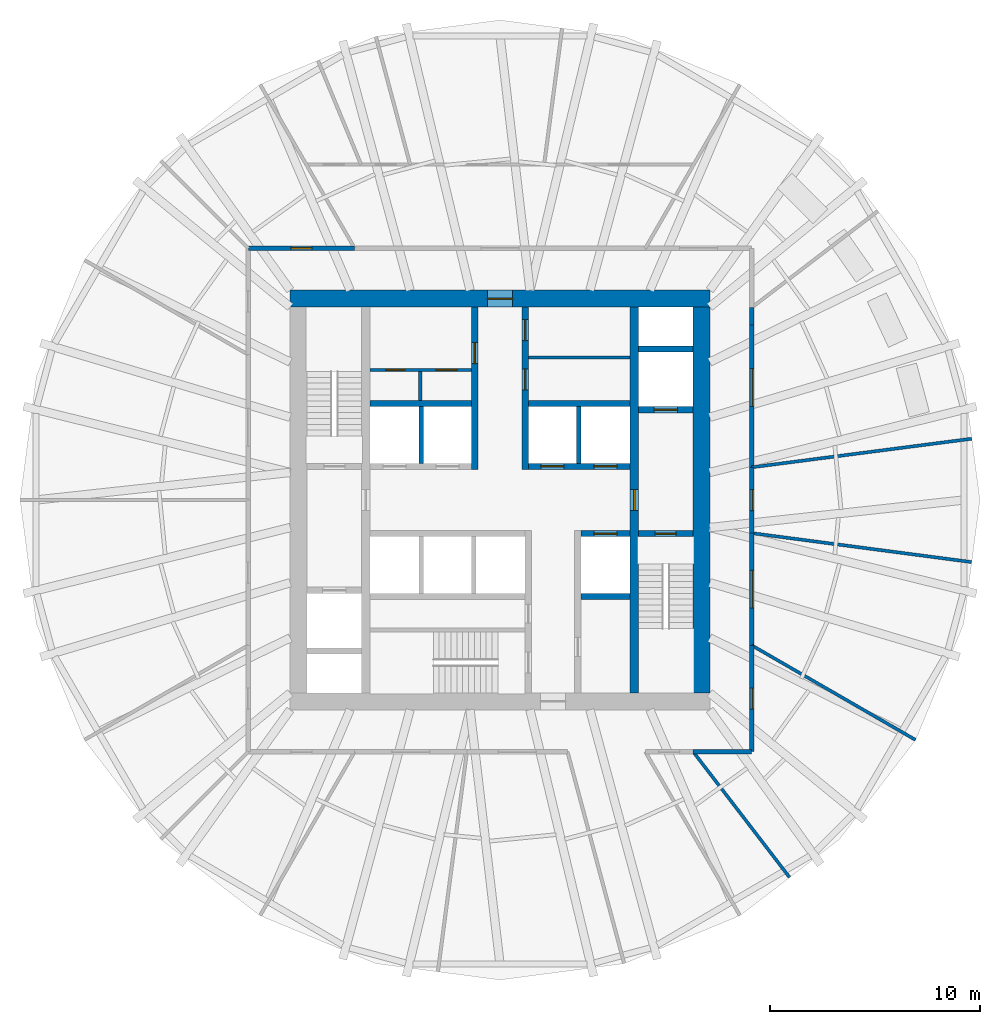
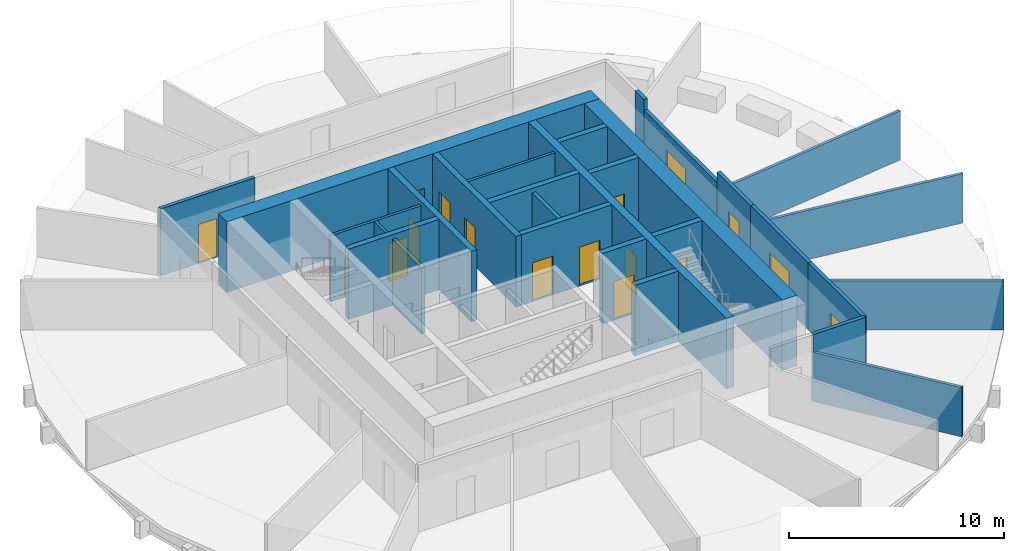
# One storey, part 4 of 7: 29 walls, 17 doors, 17 openings.
"""IFC4 building model written with IfcOpenShell, lengths in metres."""

import ifcopenshell
import ifcopenshell.guid

model = None  # the IFC model being written
_history = None  # IfcOwnerHistory: only IFC2X3 demands one
_inside = {}  # id of a spatial element -> (the spatial element, [elements in it])
_under = {}  # id of a project, library or spatial element -> (it, [spatial elements below it])
_declared = {}  # id of a project -> (the project, [libraries it declares])
_typed = {}  # id of a type object -> (the type object, [elements of that type])
_made_of = {}  # id of a material, layer set ... -> (it, [elements and type objects made of it])


def new_model(schema):
    """Start an empty IFC model of exactly this schema.

    Asked for "IFC4X3", IfcOpenShell would pick the latest addendum, in which some entities
    have other attributes; the version numbers below select the first issue.
    IFC2X3 requires an IfcOwnerHistory on every rooted entity: one is made here for all.
    """
    global model, _history
    if schema == "IFC4X3":
        model = ifcopenshell.file(schema_version=(4, 3, 0, 0))
    else:
        model = ifcopenshell.file(schema=schema)
    _inside.clear()
    _under.clear()
    _declared.clear()
    _typed.clear()
    _made_of.clear()
    _history = None
    if model.schema == "IFC2X3":
        org = make("IfcOrganization", Name="unknown")
        user = make(
            "IfcPersonAndOrganization",
            ThePerson=make("IfcPerson", FamilyName="unknown"),
            TheOrganization=org,
        )
        app = make(
            "IfcApplication",
            ApplicationDeveloper=org,
            Version="unknown",
            ApplicationFullName="unknown",
            ApplicationIdentifier="unknown",
        )
        _history = make(
            "IfcOwnerHistory",
            OwningUser=user,
            OwningApplication=app,
            ChangeAction="ADDED",
            CreationDate=0,
        )
    return model


def make(cls, **values):
    """One entity of the class cls with the attributes given. An attribute that is None is left unset."""
    return model.create_entity(
        cls, **{name: value for name, value in values.items() if value is not None}
    )


def rooted(cls, **values):
    """An entity with a GlobalId (a new one), such as an element, a storey or a relation."""
    return make(cls, GlobalId=ifcopenshell.guid.new(), OwnerHistory=_history, **values)


def si_unit(unit_type, name, prefix=None):
    """IfcSIUnit, for example si_unit("LENGTHUNIT", "METRE", prefix="MILLI")."""
    return make("IfcSIUnit", UnitType=unit_type, Prefix=prefix, Name=name)


def assignment(units):
    """IfcUnitAssignment: the units of a project."""
    return None if units is None else make("IfcUnitAssignment", Units=units)


def point(xyz):
    """IfcCartesianPoint."""
    return None if xyz is None else make("IfcCartesianPoint", Coordinates=xyz)


def direction(xyz):
    """IfcDirection."""
    return None if xyz is None else make("IfcDirection", DirectionRatios=xyz)


def frame(location, z_axis=None, x_axis=None):
    """IfcAxis2Placement3D, a coordinate frame: its origin and axes. An axis left out is left unset."""
    return make(
        "IfcAxis2Placement3D",
        Location=point(location),
        Axis=direction(z_axis),
        RefDirection=direction(x_axis),
    )


def frame_2d(location, x_axis=None):
    """IfcAxis2Placement2D, a coordinate frame in the plane: its origin and x axis."""
    return make(
        "IfcAxis2Placement2D", Location=point(location), RefDirection=direction(x_axis)
    )


def origin():
    """The frame at (0, 0, 0) with its axes left unset."""
    return frame((0.0, 0.0, 0.0))


def place(relative_to, where):
    """IfcLocalPlacement: puts the frame where relative to a parent placement (None: the world)."""
    return make(
        "IfcLocalPlacement", PlacementRelTo=relative_to, RelativePlacement=where
    )


def context(
    kind, dimensions, precision=None, world=None, true_north=None, identifier=None
):
    """IfcGeometricRepresentationContext, for example the 3D "Model" context."""
    return make(
        "IfcGeometricRepresentationContext",
        ContextIdentifier=identifier,
        ContextType=kind,
        CoordinateSpaceDimension=dimensions,
        Precision=precision,
        WorldCoordinateSystem=world,
        TrueNorth=true_north,
    )


def subcontext(parent, identifier, kind, view, scale=None):
    """IfcGeometricRepresentationSubContext, for example "Body" below "Model"."""
    return make(
        "IfcGeometricRepresentationSubContext",
        ContextIdentifier=identifier,
        ContextType=kind,
        ParentContext=parent,
        TargetScale=scale,
        TargetView=view,
    )


def project(units=None, contexts=None):
    """IfcProject with its units and contexts."""
    return rooted(
        "IfcProject",
        Name="project",
        RepresentationContexts=contexts,
        UnitsInContext=assignment(units),
    )


def spatial(cls, under=None, at=None, **own):
    """A site, building, storey or space (cls), placed at a placement, below another one or the project."""
    s = rooted(cls, ObjectPlacement=at, **own)
    if under is not None:
        _under.setdefault(under.id(), (under, []))[1].append(s)
    return s


def profile(cls, at=None, kind="AREA", **sizes):
    """A parametric profile (cls). Its sizes go by their IFC names, for example OverallWidth=200.0."""
    return make(cls, ProfileType=kind, Position=at, **sizes)


def rectangle(**sizes):
    """IfcRectangleProfileDef."""
    return profile("IfcRectangleProfileDef", **sizes)


def extrude(swept, where, along, depth):
    """IfcExtrudedAreaSolid: the profile swept, set in the frame where, extruded along a direction by depth."""
    return make(
        "IfcExtrudedAreaSolid",
        SweptArea=swept,
        Position=where,
        ExtrudedDirection=direction(along),
        Depth=depth,
    )


def shape(context_of_items, identifier, shape_type, items):
    """IfcShapeRepresentation: the items that make up one representation, for example the "Body"."""
    return make(
        "IfcShapeRepresentation",
        ContextOfItems=context_of_items,
        RepresentationIdentifier=identifier,
        RepresentationType=shape_type,
        Items=items,
    )


def material(Name=None, Category=None):
    """IfcMaterial."""
    return make("IfcMaterial", Name=Name, Category=Category)


def layer(
    of_material, thickness, ventilated=None, Name=None, Category=None, Priority=None
):
    """IfcMaterialLayer: one layer of a wall or slab, of a material (None: an air gap)."""
    return make(
        "IfcMaterialLayer",
        Material=of_material,
        LayerThickness=thickness,
        IsVentilated=ventilated,
        Name=Name,
        Category=Category,
        Priority=Priority,
    )


def layer_set(layers, Name=None):
    """IfcMaterialLayerSet."""
    return make("IfcMaterialLayerSet", MaterialLayers=layers, LayerSetName=Name)


def made_of(thing, what):
    """Note that an element or type object is made of a material, layer set ...; save() writes the relation."""
    if what is not None:
        _made_of.setdefault(what.id(), (what, []))[1].append(thing)
    return thing


def type_object(cls, material=None, **own):
    """A type object (cls), such as IfcWallType, which elements share."""
    return made_of(rooted(cls, **own), material)


def element(
    cls,
    number,
    at=None,
    inside=None,
    cuts=None,
    type_object=None,
    material=None,
    context=None,
    identifier="Body",
    shape_type=None,
    held_by="IfcProductDefinitionShape",
    body=None,
    shapes=None,
    **own,
):
    """One element of the class cls, such as IfcWall. Its Tag is "e" and its number.

    at: its placement. inside: the storey or other place that contains it. cuts: it is an
    opening in that element (IfcRelVoidsElement). A single representation is given by context,
    identifier, shape_type and body (its items); several are given by shapes. held_by: the class
    of the entity that holds the representations. save() writes the other relations.
    """
    e = rooted(cls, Tag="e%d" % number, ObjectPlacement=at, **own)
    if body is not None:
        shapes = [shape(context, identifier, shape_type, body)]
    if shapes is not None:
        e.Representation = make(held_by, Representations=shapes)
    if inside is not None:
        _inside.setdefault(inside.id(), (inside, []))[1].append(e)
    if cuts is not None:
        rooted(
            "IfcRelVoidsElement", RelatingBuildingElement=cuts, RelatedOpeningElement=e
        )
    if type_object is not None:
        _typed.setdefault(type_object.id(), (type_object, []))[1].append(e)
    return made_of(e, material)


def fill(opening, filler):
    """IfcRelFillsElement: the door or window that sits in an opening."""
    return rooted(
        "IfcRelFillsElement",
        RelatingOpeningElement=opening,
        RelatedBuildingElement=filler,
    )


def aggregate(whole, parts):
    """IfcRelAggregates: a whole, such as a stair, and the parts it consists of."""
    return rooted("IfcRelAggregates", RelatingObject=whole, RelatedObjects=parts)


def save(model, path):
    """Write the relations noted so far, then the file.

    IfcRelAggregates (storeys below a building ...), IfcRelContainedInSpatialStructure (elements
    in a storey), IfcRelDefinesByType, IfcRelAssociatesMaterial and IfcRelDeclares: one each for
    every whole, place, type object, material and project.
    """
    for whole, parts in _under.values():
        aggregate(whole, parts)
    for where, things in _inside.values():
        rooted(
            "IfcRelContainedInSpatialStructure",
            RelatedElements=things,
            RelatingStructure=where,
        )
    for kind, things in _typed.values():
        rooted("IfcRelDefinesByType", RelatedObjects=things, RelatingType=kind)
    for what, things in _made_of.values():
        rooted("IfcRelAssociatesMaterial", RelatedObjects=things, RelatingMaterial=what)
    for by, libraries in _declared.values():
        rooted("IfcRelDeclares", RelatingContext=by, RelatedDefinitions=libraries)
    model.write(path)


model = new_model("IFC4")

# Units and contexts
model_context = context("Model", 3, precision=1e-05, world=origin(), true_north=direction((0.0, 1.0)))
body_context = subcontext(model_context, "Body", "Model", "MODEL_VIEW")
ifc_project = project(units=[si_unit("LENGTHUNIT", "METRE"), si_unit("AREAUNIT", "SQUARE_METRE"), si_unit("VOLUMEUNIT", "CUBIC_METRE"), si_unit("PLANEANGLEUNIT", "RADIAN"), si_unit("MASSUNIT", "GRAM", prefix="KILO")], contexts=[model_context])

# Site, building, storey
site_placement = place(None, origin())
site = spatial("IfcSite", under=ifc_project, at=site_placement, CompositionType="ELEMENT")
building_placement = place(site_placement, origin())
building = spatial("IfcBuilding", under=site, at=building_placement, Name="Golbaran Civic Tower", CompositionType="ELEMENT")
storey_placement = place(building_placement, frame((0.0, 0.0, 41.0)))
storey = spatial("IfcBuildingStorey", under=building, at=storey_placement, Name="L09", CompositionType="ELEMENT", Elevation=41.0)

# Wall
ifc_material_1 = material(Name="Concrete block", Category="concrete")
ifc_layer_1 = layer(ifc_material_1, 0.14990234375, Name="Concrete block")
ifc_layer_set_1 = layer_set([ifc_layer_1], Name="Concrete block")
wall_type_1 = type_object("IfcWallType", Name="BLOCKWORK PARTITION 150", PredefinedType="PARTITIONING", material=ifc_layer_set_1)
wall_1_placement = place(storey_placement, frame((1.35009765625, 6.800048828125, 0.0), z_axis=(0.0, 0.0, 1.0), x_axis=(1.0, 0.0, 0.0)))
element("IfcWall", 1, at=wall_1_placement, inside=storey, type_object=wall_type_1, Name="Toilet block partition TN1 L09", PredefinedType="PARTITIONING", context=body_context, shape_type="SweptSolid", body=[
    extrude(rectangle(XDim=4.849853515625, YDim=0.14990234375, at=frame_2d((2.4248046875, 0.0))), origin(), (0.0, 0.0, 1.0), 3.75),
])

# Wall, opening, door
ifc_material_2 = material(Name="Concrete C50/60", Category="concrete")
ifc_layer_2 = layer(ifc_material_2, 0.39990234375, Name="Concrete C50/60")
ifc_layer_set_2 = layer_set([ifc_layer_2], Name="Concrete C50/60")
wall_type_2 = type_object("IfcWallType", Name="CORE WALL CONCRETE 400", PredefinedType="SOLIDWALL", material=ifc_layer_set_2)
wall_2_placement = place(storey_placement, frame((6.39990234375, 9.199951171875, 0.0), z_axis=(0.0, 0.0, 1.0), x_axis=(0.0, -1.0, 0.0)))
wall_2 = element("IfcWall", 2, at=wall_2_placement, inside=storey, type_object=wall_type_2, Name="Core wall IE L09", PredefinedType="SOLIDWALL", context=body_context, shape_type="SweptSolid", body=[
    extrude(rectangle(XDim=18.39990234375, YDim=0.39990234375, at=frame_2d((9.199951171875, 0.0))), origin(), (0.0, 0.0, 1.0), 4.0),
])
opening_1_placement = place(wall_2_placement, frame((8.699951171875, 0.0, 0.0)))
opening_1 = element("IfcOpeningElement", 3, at=opening_1_placement, cuts=wall_2, Name="Opening L09.FL2", PredefinedType="OPENING", context=body_context, shape_type="SweptSolid", body=[
    extrude(rectangle(XDim=1.0, YDim=2.199951171875, at=frame_2d((0.5, 1.10009765625))), frame((0.0, 0.2099609375, 0.0), z_axis=(0.0, -1.0, 0.0), x_axis=(1.0, 0.0, 0.0)), (0.0, 0.0, 1.0), 0.419921875),
])
ifc_material_3 = material(Name="Timber door set in steel frame", Category="steel")
door_type_1 = type_object("IfcDoorType", Name="STAIR DOOR 1000x2200", OperationType="SINGLE_SWING_LEFT", PredefinedType="DOOR", material=ifc_material_3)
door_1_placement = place(opening_1_placement, origin())
door_1 = element("IfcDoor", 4, at=door_1_placement, inside=storey, type_object=door_type_1, Name="Fire-fighting lobby FL2 door", OperationType="SINGLE_SWING_RIGHT", OverallHeight=2.199951171875, OverallWidth=1.0, PredefinedType="DOOR", context=body_context, shape_type="SweptSolid", body=[
    extrude(rectangle(XDim=1.0, YDim=2.199951171875, at=frame_2d((0.5, 1.10009765625))), frame((0.0, 0.02490234375, 0.0), z_axis=(0.0, -1.0, 0.0), x_axis=(1.0, 0.0, 0.0)), (0.0, 0.0, 1.0), 0.050048828125),
])
fill(opening_1, door_1)

ifc_layer_3 = layer(ifc_material_2, 0.800048828125, Name="Concrete C50/60")
ifc_layer_set_3 = layer_set([ifc_layer_3], Name="Concrete C50/60")
wall_type_3 = type_object("IfcWallType", Name="CORE WALL CONCRETE 800", PredefinedType="SOLIDWALL", material=ifc_layer_set_3)
wall_3_placement = place(storey_placement, frame((-10.0, 9.60009765625, 0.0), z_axis=(0.0, 0.0, 1.0), x_axis=(1.0, 0.0, 0.0)))
wall_3 = element("IfcWall", 5, at=wall_3_placement, inside=storey, type_object=wall_type_3, Name="Core wall CN L09", PredefinedType="SOLIDWALL", context=body_context, shape_type="SweptSolid", body=[
    extrude(rectangle(XDim=20.0, YDim=0.800048828125, at=frame_2d((10.0, 0.0))), origin(), (0.0, 0.0, 1.0), 4.0),
])
opening_2_placement = place(wall_3_placement, frame((9.39990234375, 0.0, 0.0)))
opening_2 = element("IfcOpeningElement", 6, at=opening_2_placement, cuts=wall_3, Name="Opening L09.CN", PredefinedType="OPENING", context=body_context, shape_type="SweptSolid", body=[
    extrude(rectangle(XDim=1.199951171875, YDim=2.199951171875, at=frame_2d((0.60009765625, 1.10009765625))), frame((0.0, 0.409912109375, 0.0), z_axis=(0.0, -1.0, 0.0), x_axis=(1.0, 0.0, 0.0)), (0.0, 0.0, 1.0), 0.820068359375),
])
door_type_2 = type_object("IfcDoorType", Name="CORE DOOR 1200x2200", OperationType="DOUBLE_DOOR_SINGLE_SWING", PredefinedType="DOOR", material=ifc_material_3)
door_2_placement = place(opening_2_placement, origin())
door_2 = element("IfcDoor", 7, at=door_2_placement, inside=storey, type_object=door_type_2, Name="Core door north", OperationType="DOUBLE_DOOR_SINGLE_SWING", OverallHeight=2.199951171875, OverallWidth=1.199951171875, PredefinedType="DOOR", context=body_context, shape_type="SweptSolid", body=[
    extrude(rectangle(XDim=1.199951171875, YDim=2.199951171875, at=frame_2d((0.60009765625, 1.10009765625))), frame((0.0, 0.02490234375, 0.0), z_axis=(0.0, -1.0, 0.0), x_axis=(1.0, 0.0, 0.0)), (0.0, 0.0, 1.0), 0.050048828125),
])
fill(opening_2, door_2)

# Wall
wall_4_placement = place(storey_placement, frame((9.60009765625, -9.199951171875, 0.0), z_axis=(0.0, 0.0, 1.0), x_axis=(0.0, 1.0, 0.0)))
element("IfcWall", 8, at=wall_4_placement, inside=storey, type_object=wall_type_3, Name="Core wall CE L09", PredefinedType="SOLIDWALL", context=body_context, shape_type="SweptSolid", body=[
    extrude(rectangle(XDim=18.39990234375, YDim=0.800048828125, at=frame_2d((9.199951171875, 0.0))), origin(), (0.0, 0.0, 1.0), 4.0),
])

# Wall, opening, door
ifc_material_4 = material(Name="Gypsum board on steel studs, fire-rated", Category="steel")
ifc_layer_4 = layer(ifc_material_4, 0.199951171875, Name="Gypsum board on steel studs, fire-rated")
ifc_layer_set_4 = layer_set([ifc_layer_4], Name="Gypsum board on steel studs, fire-rated")
wall_type_4 = type_object("IfcWallType", Name="CORRIDOR WALL 200", PredefinedType="PARTITIONING", material=ifc_layer_set_4)
wall_5_placement = place(storey_placement, frame((12.0, -6.92822265625, 0.0), z_axis=(0.0, 0.0, 1.0), x_axis=(0.0, 1.0, 0.0)))
wall_5 = element("IfcWall", 9, at=wall_5_placement, inside=storey, type_object=wall_type_4, Name="Corridor wall L09", PredefinedType="PARTITIONING", context=body_context, shape_type="SweptSolid", body=[
    extrude(rectangle(XDim=5.348388671875, YDim=0.199951171875, at=frame_2d((2.67431640625, 0.0))), origin(), (0.0, 0.0, 1.0), 3.800048828125),
])
opening_3_placement = place(wall_5_placement, frame((1.774169921875, 0.0, 0.0)))
opening_3 = element("IfcOpeningElement", 10, at=opening_3_placement, cuts=wall_5, Name="Opening L09.05", PredefinedType="OPENING", context=body_context, shape_type="SweptSolid", body=[
    extrude(rectangle(XDim=1.800048828125, YDim=2.199951171875, at=frame_2d((0.89990234375, 1.10009765625))), frame((0.0, 0.10986328125, 0.0), z_axis=(0.0, -1.0, 0.0), x_axis=(1.0, 0.0, 0.0)), (0.0, 0.0, 1.0), 0.219970703125),
])
door_type_3 = type_object("IfcDoorType", Name="OFFICE DOUBLE DOOR 1800x2200", OperationType="DOUBLE_DOOR_SINGLE_SWING", PredefinedType="DOOR", material=ifc_material_3)
door_3_placement = place(opening_3_placement, origin())
door_3 = element("IfcDoor", 11, at=door_3_placement, inside=storey, type_object=door_type_3, Name="Open Office door L09", OperationType="DOUBLE_DOOR_SINGLE_SWING", OverallHeight=2.199951171875, OverallWidth=1.800048828125, PredefinedType="DOOR", context=body_context, shape_type="SweptSolid", body=[
    extrude(rectangle(XDim=1.800048828125, YDim=2.199951171875, at=frame_2d((0.89990234375, 1.10009765625))), frame((0.0, 0.02490234375, 0.0), z_axis=(0.0, -1.0, 0.0), x_axis=(1.0, 0.0, 0.0)), (0.0, 0.0, 1.0), 0.050048828125),
])
fill(opening_3, door_3)

wall_6_placement = place(storey_placement, frame((12.0, -1.579833984375, 0.0), z_axis=(0.0, 0.0, 1.0), x_axis=(0.0, 1.0, 0.0)))
wall_6 = element("IfcWall", 12, at=wall_6_placement, inside=storey, type_object=wall_type_4, Name="Corridor wall L09", PredefinedType="PARTITIONING", context=body_context, shape_type="SweptSolid", body=[
    extrude(rectangle(XDim=3.138671875, YDim=0.199951171875, at=frame_2d((1.5693359375, 0.0))), origin(), (0.0, 0.0, 1.0), 3.800048828125),
])
opening_4_placement = place(wall_6_placement, frame((1.0693359375, 0.0, 0.0)))
opening_4 = element("IfcOpeningElement", 13, at=opening_4_placement, cuts=wall_6, Name="Opening L09.06", PredefinedType="OPENING", context=body_context, shape_type="SweptSolid", body=[
    extrude(rectangle(XDim=1.0, YDim=2.199951171875, at=frame_2d((0.5, 1.10009765625))), frame((0.0, 0.10986328125, 0.0), z_axis=(0.0, -1.0, 0.0), x_axis=(1.0, 0.0, 0.0)), (0.0, 0.0, 1.0), 0.219970703125),
])
door_type_4 = type_object("IfcDoorType", Name="OFFICE DOOR 1000x2200", OperationType="SINGLE_SWING_LEFT", PredefinedType="DOOR", material=ifc_material_3)
door_4_placement = place(opening_4_placement, origin())
door_4 = element("IfcDoor", 14, at=door_4_placement, inside=storey, type_object=door_type_4, Name="Prayer Room door L09", OperationType="SINGLE_SWING_LEFT", OverallHeight=2.199951171875, OverallWidth=1.0, PredefinedType="DOOR", context=body_context, shape_type="SweptSolid", body=[
    extrude(rectangle(XDim=1.0, YDim=2.199951171875, at=frame_2d((0.5, 1.10009765625))), frame((0.0, 0.02490234375, 0.0), z_axis=(0.0, -1.0, 0.0), x_axis=(1.0, 0.0, 0.0)), (0.0, 0.0, 1.0), 0.050048828125),
])
fill(opening_4, door_4)

wall_7_placement = place(storey_placement, frame((12.0, 1.558837890625, 0.0), z_axis=(0.0, 0.0, 1.0), x_axis=(0.0, 1.0, 0.0)))
wall_7 = element("IfcWall", 15, at=wall_7_placement, inside=storey, type_object=wall_type_4, Name="Corridor wall L09", PredefinedType="PARTITIONING", context=body_context, shape_type="SweptSolid", body=[
    extrude(rectangle(XDim=6.781005859375, YDim=0.199951171875, at=frame_2d((3.390625, 0.0))), origin(), (0.0, 0.0, 1.0), 3.199951171875),
])
opening_5_placement = place(wall_7_placement, frame((2.908203125, 0.0, 0.0)))
opening_5 = element("IfcOpeningElement", 16, at=opening_5_placement, cuts=wall_7, Name="Opening L09.07", PredefinedType="OPENING", context=body_context, shape_type="SweptSolid", body=[
    extrude(rectangle(XDim=1.800048828125, YDim=2.199951171875, at=frame_2d((0.89990234375, 1.10009765625))), frame((0.0, 0.10986328125, 0.0), z_axis=(0.0, -1.0, 0.0), x_axis=(1.0, 0.0, 0.0)), (0.0, 0.0, 1.0), 0.219970703125),
])
door_5_placement = place(opening_5_placement, origin())
door_5 = element("IfcDoor", 17, at=door_5_placement, inside=storey, type_object=door_type_3, Name="Sky Garden door L09", OperationType="DOUBLE_DOOR_SINGLE_SWING", OverallHeight=2.199951171875, OverallWidth=1.800048828125, PredefinedType="DOOR", context=body_context, shape_type="SweptSolid", body=[
    extrude(rectangle(XDim=1.800048828125, YDim=2.199951171875, at=frame_2d((0.89990234375, 1.10009765625))), frame((0.0, 0.02490234375, 0.0), z_axis=(0.0, -1.0, 0.0), x_axis=(1.0, 0.0, 0.0)), (0.0, 0.0, 1.0), 0.050048828125),
])
fill(opening_5, door_5)

# Wall
wall_8_placement = place(storey_placement, frame((12.0, 8.33984375, 0.0), z_axis=(0.0, 0.0, 1.0), x_axis=(0.0, 1.0, 0.0)))
element("IfcWall", 18, at=wall_8_placement, inside=storey, type_object=wall_type_4, Name="Corridor wall L09 (part 2)", PredefinedType="PARTITIONING", context=body_context, shape_type="SweptSolid", body=[
    extrude(rectangle(XDim=0.835205078125, YDim=0.199951171875, at=frame_2d((0.41748046875, 0.0))), origin(), (0.0, 0.0, 1.0), 3.800048828125),
])

# Wall, opening, door
wall_9_placement = place(storey_placement, frame((-6.92822265625, 12.0, 0.0), z_axis=(0.0, 0.0, 1.0), x_axis=(-1.0, 0.0, 0.0)))
wall_9 = element("IfcWall", 19, at=wall_9_placement, inside=storey, type_object=wall_type_4, Name="Corridor wall L09", PredefinedType="PARTITIONING", context=body_context, shape_type="SweptSolid", body=[
    extrude(rectangle(XDim=5.07177734375, YDim=0.199951171875, at=frame_2d((2.535888671875, 0.0))), origin(), (0.0, 0.0, 1.0), 3.800048828125),
])
opening_6_placement = place(wall_9_placement, frame((2.035888671875, 0.0, 0.0)))
opening_6 = element("IfcOpeningElement", 20, at=opening_6_placement, cuts=wall_9, Name="Opening L09.10", PredefinedType="OPENING", context=body_context, shape_type="SweptSolid", body=[
    extrude(rectangle(XDim=1.0, YDim=2.199951171875, at=frame_2d((0.5, 1.10009765625))), frame((0.0, 0.10986328125, 0.0), z_axis=(0.0, -1.0, 0.0), x_axis=(1.0, 0.0, 0.0)), (0.0, 0.0, 1.0), 0.219970703125),
])
door_6_placement = place(opening_6_placement, origin())
door_6 = element("IfcDoor", 21, at=door_6_placement, inside=storey, type_object=door_type_4, Name="Office door L09", OperationType="SINGLE_SWING_RIGHT", OverallHeight=2.199951171875, OverallWidth=1.0, PredefinedType="DOOR", context=body_context, shape_type="SweptSolid", body=[
    extrude(rectangle(XDim=1.0, YDim=2.199951171875, at=frame_2d((0.5, 1.10009765625))), frame((0.0, 0.02490234375, 0.0), z_axis=(0.0, -1.0, 0.0), x_axis=(1.0, 0.0, 0.0)), (0.0, 0.0, 1.0), 0.050048828125),
])
fill(opening_6, door_6)

# Wall
wall_10_placement = place(storey_placement, frame((9.2080078125, -12.0, 0.0), z_axis=(0.0, 0.0, 1.0), x_axis=(1.0, 0.0, 0.0)))
element("IfcWall", 22, at=wall_10_placement, inside=storey, type_object=wall_type_4, Name="Corridor wall L09", PredefinedType="PARTITIONING", context=body_context, shape_type="SweptSolid", body=[
    extrude(rectangle(XDim=2.7919921875, YDim=0.199951171875, at=frame_2d((1.39599609375, 0.0))), origin(), (0.0, 0.0, 1.0), 3.800048828125),
])

# Wall, opening, door
wall_11_placement = place(storey_placement, frame((12.0, -12.0, 0.0), z_axis=(0.0, 0.0, 1.0), x_axis=(0.0, 1.0, 0.0)))
wall_11 = element("IfcWall", 23, at=wall_11_placement, inside=storey, type_object=wall_type_4, Name="Corridor wall L09", PredefinedType="PARTITIONING", context=body_context, shape_type="SweptSolid", body=[
    extrude(rectangle(XDim=5.07177734375, YDim=0.199951171875, at=frame_2d((2.535888671875, 0.0))), origin(), (0.0, 0.0, 1.0), 3.800048828125),
])
opening_7_placement = place(wall_11_placement, frame((2.035888671875, 0.0, 0.0)))
opening_7 = element("IfcOpeningElement", 24, at=opening_7_placement, cuts=wall_11, Name="Opening L09.19", PredefinedType="OPENING", context=body_context, shape_type="SweptSolid", body=[
    extrude(rectangle(XDim=1.0, YDim=2.199951171875, at=frame_2d((0.5, 1.10009765625))), frame((0.0, 0.10986328125, 0.0), z_axis=(0.0, -1.0, 0.0), x_axis=(1.0, 0.0, 0.0)), (0.0, 0.0, 1.0), 0.219970703125),
])
door_7_placement = place(opening_7_placement, origin())
door_7 = element("IfcDoor", 25, at=door_7_placement, inside=storey, type_object=door_type_4, Name="File Room door L09", OperationType="SINGLE_SWING_LEFT", OverallHeight=2.199951171875, OverallWidth=1.0, PredefinedType="DOOR", context=body_context, shape_type="SweptSolid", body=[
    extrude(rectangle(XDim=1.0, YDim=2.199951171875, at=frame_2d((0.5, 1.10009765625))), frame((0.0, 0.02490234375, 0.0), z_axis=(0.0, -1.0, 0.0), x_axis=(1.0, 0.0, 0.0)), (0.0, 0.0, 1.0), 0.050048828125),
])
fill(opening_7, door_7)

# Walls
ifc_layer_5 = layer(ifc_material_1, 0.199951171875, Name="Concrete block")
ifc_layer_set_5 = layer_set([ifc_layer_5], Name="Concrete block")
wall_type_5 = type_object("IfcWallType", Name="LIFT SEPARATOR WALL 200", PredefinedType="SOLIDWALL", material=ifc_layer_set_5)
for number, where, z_axis, x_axis, name in (
    (26, (-3.75, 1.75, 0.0), (0.0, 0.0, 1.0), (0.0, 1.0, 0.0), "Core partition SNW L09"),
    (27, (3.75, 1.75, 0.0), (0.0, 0.0, 1.0), (0.0, 1.0, 0.0), "Core partition SNE L09"),
):
    element("IfcWall", number, at=place(storey_placement, frame(where, z_axis=z_axis, x_axis=x_axis)), inside=storey, type_object=wall_type_5, Name=name, PredefinedType="SOLIDWALL", context=body_context, shape_type="SweptSolid", body=[
        extrude(rectangle(XDim=2.699951171875, YDim=0.199951171875, at=frame_2d((1.35009765625, 0.0))), origin(), (0.0, 0.0, 1.0), 3.75),
    ])
ifc_material_5 = material(Name="Gypsum board on steel studs", Category="steel")
ifc_layer_6 = layer(ifc_material_5, 0.14990234375, Name="Gypsum board on steel studs")
ifc_layer_set_6 = layer_set([ifc_layer_6], Name="Gypsum board on steel studs")
wall_type_6 = type_object("IfcWallType", Name="OFFICE PARTITION 150", PredefinedType="PARTITIONING", material=ifc_layer_set_6)
wall_12_placement = place(storey_placement, frame((12.0, -6.92822265625, 0.0), z_axis=(0.0, 0.0, 1.0), x_axis=(0.866027720199, -0.49999598783, 0.0)))
element("IfcWall", 28, at=wall_12_placement, inside=storey, type_object=wall_type_6, Name="Partition 330 L09", PredefinedType="PARTITIONING", context=body_context, shape_type="SweptSolid", body=[
    extrude(rectangle(XDim=9.013671875, YDim=0.14990234375, at=frame_2d((4.5068359375, 0.0))), origin(), (0.0, 0.0, 1.0), 2.7900390625),
])
wall_13_placement = place(storey_placement, frame((12.0, -1.579833984375, 0.0), z_axis=(0.0, 0.0, 1.0), x_axis=(0.991443601308, -0.130535763012, 0.0)))
element("IfcWall", 29, at=wall_13_placement, inside=storey, type_object=wall_type_6, Name="Partition 352.5 L09", PredefinedType="PARTITIONING", context=body_context, shape_type="SweptSolid", body=[
    extrude(rectangle(XDim=10.57080078125, YDim=0.14990234375, at=frame_2d((5.285400390625, 0.0))), origin(), (0.0, 0.0, 1.0), 2.7900390625),
])
wall_14_placement = place(storey_placement, frame((12.0, 1.558837890625, 0.0), z_axis=(0.0, 0.0, 1.0), x_axis=(0.991668511497, 0.128816005626, 0.0)))
element("IfcWall", 30, at=wall_14_placement, inside=storey, type_object=wall_type_6, Name="Partition 7.40125 L09", PredefinedType="PARTITIONING", context=body_context, shape_type="SweptSolid", body=[
    extrude(rectangle(XDim=10.57373046875, YDim=0.14990234375, at=frame_2d((5.286865234375, 0.0))), origin(), (0.0, 0.0, 1.0), 2.7900390625),
])
wall_15_placement = place(storey_placement, frame((9.2080078125, -12.0, 0.0), z_axis=(0.0, 0.0, 1.0), x_axis=(0.608755356011, -0.793358000229, 0.0)))
element("IfcWall", 31, at=wall_15_placement, inside=storey, type_object=wall_type_6, Name="Partition 307.5 L09", PredefinedType="PARTITIONING", context=body_context, shape_type="SweptSolid", body=[
    extrude(rectangle(XDim=7.548828125, YDim=0.14990234375, at=frame_2d((3.7744140625, 0.0))), origin(), (0.0, 0.0, 1.0), 2.7900390625),
])

# Wall, openings, doors
ifc_layer_7 = layer(ifc_material_2, 0.300048828125, Name="Concrete C50/60")
ifc_layer_set_7 = layer_set([ifc_layer_7], Name="Concrete C50/60")
wall_type_7 = type_object("IfcWallType", Name="SHAFT WALL CONCRETE 300", PredefinedType="SOLIDWALL", material=ifc_layer_set_7)
wall_16_placement = place(storey_placement, frame((1.35009765625, 1.60009765625, 0.0), z_axis=(0.0, 0.0, 1.0), x_axis=(1.0, 0.0, 0.0)))
wall_16 = element("IfcWall", 32, at=wall_16_placement, inside=storey, type_object=wall_type_7, Name="Core wall FNE L09", PredefinedType="SOLIDWALL", context=body_context, shape_type="SweptSolid", body=[
    extrude(rectangle(XDim=4.849853515625, YDim=0.300048828125, at=frame_2d((2.4248046875, 0.0))), origin(), (0.0, 0.0, 1.0), 4.0),
])
opening_8_placement = place(wall_16_placement, frame((0.60009765625, 0.0, 0.0)))
opening_8 = element("IfcOpeningElement", 33, at=opening_8_placement, cuts=wall_16, Name="Opening L09.LD-Z3L", PredefinedType="OPENING", context=body_context, shape_type="SweptSolid", body=[
    extrude(rectangle(XDim=1.10009765625, YDim=2.199951171875, at=frame_2d((0.550048828125, 1.10009765625))), frame((0.0, 0.159912109375, 0.0), z_axis=(0.0, -1.0, 0.0), x_axis=(1.0, 0.0, 0.0)), (0.0, 0.0, 1.0), 0.320068359375),
])
opening_9_placement = place(wall_16_placement, frame((3.125, 0.0, 0.0)))
opening_9 = element("IfcOpeningElement", 34, at=opening_9_placement, cuts=wall_16, Name="Opening L09.LD-Z4L", PredefinedType="OPENING", context=body_context, shape_type="SweptSolid", body=[
    extrude(rectangle(XDim=1.10009765625, YDim=2.199951171875, at=frame_2d((0.550048828125, 1.10009765625))), frame((0.0, 0.159912109375, 0.0), z_axis=(0.0, -1.0, 0.0), x_axis=(1.0, 0.0, 0.0)), (0.0, 0.0, 1.0), 0.320068359375),
])
ifc_material_6 = material(Name="Stainless steel", Category="steel")
door_type_5 = type_object("IfcDoorType", Name="LIFT LANDING DOOR 1100x2200", OperationType="SLIDING_TO_LEFT", PredefinedType="DOOR", material=ifc_material_6)
door_8_placement = place(opening_8_placement, origin())
door_8 = element("IfcDoor", 35, at=door_8_placement, inside=storey, type_object=door_type_5, Name="Lift landing door Z3L", OperationType="SLIDING_TO_LEFT", OverallHeight=2.199951171875, OverallWidth=1.10009765625, PredefinedType="DOOR", context=body_context, shape_type="SweptSolid", body=[
    extrude(rectangle(XDim=1.10009765625, YDim=2.199951171875, at=frame_2d((0.550048828125, 1.10009765625))), frame((0.0, 0.02490234375, 0.0), z_axis=(0.0, -1.0, 0.0), x_axis=(1.0, 0.0, 0.0)), (0.0, 0.0, 1.0), 0.050048828125),
])
fill(opening_8, door_8)
door_9_placement = place(opening_9_placement, origin())
door_9 = element("IfcDoor", 36, at=door_9_placement, inside=storey, type_object=door_type_5, Name="Lift landing door Z4L", OperationType="SLIDING_TO_LEFT", OverallHeight=2.199951171875, OverallWidth=1.10009765625, PredefinedType="DOOR", context=body_context, shape_type="SweptSolid", body=[
    extrude(rectangle(XDim=1.10009765625, YDim=2.199951171875, at=frame_2d((0.550048828125, 1.10009765625))), frame((0.0, 0.02490234375, 0.0), z_axis=(0.0, -1.0, 0.0), x_axis=(1.0, 0.0, 0.0)), (0.0, 0.0, 1.0), 0.050048828125),
])
fill(opening_9, door_9)

# Walls
for number, where, z_axis, x_axis, name in (
    (37, (-6.199951171875, 4.60009765625, 0.0), (0.0, 0.0, 1.0), (1.0, 0.0, 0.0), "Core wall BNW L09"),
    (38, (1.35009765625, 4.60009765625, 0.0), (0.0, 0.0, 1.0), (1.0, 0.0, 0.0), "Core wall BNE L09"),
):
    element("IfcWall", number, at=place(storey_placement, frame(where, z_axis=z_axis, x_axis=x_axis)), inside=storey, type_object=wall_type_7, Name=name, PredefinedType="SOLIDWALL", context=body_context, shape_type="SweptSolid", body=[
        extrude(rectangle(XDim=4.849853515625, YDim=0.300048828125, at=frame_2d((2.4248046875, 0.0))), origin(), (0.0, 0.0, 1.0), 4.0),
    ])

# Wall, opening, door
wall_17_placement = place(storey_placement, frame((-1.199951171875, 1.449951171875, 0.0), z_axis=(0.0, 0.0, 1.0), x_axis=(0.0, 1.0, 0.0)))
wall_17 = element("IfcWall", 39, at=wall_17_placement, inside=storey, type_object=wall_type_7, Name="Core wall PNW L09", PredefinedType="SOLIDWALL", context=body_context, shape_type="SweptSolid", body=[
    extrude(rectangle(XDim=7.75, YDim=0.300048828125, at=frame_2d((3.875, 0.0))), origin(), (0.0, 0.0, 1.0), 4.0),
])
opening_10_placement = place(wall_17_placement, frame((5.050048828125, 0.0, 0.0)))
opening_10 = element("IfcOpeningElement", 40, at=opening_10_placement, cuts=wall_17, Name="Opening L09.WCM", PredefinedType="OPENING", context=body_context, shape_type="SweptSolid", body=[
    extrude(rectangle(XDim=1.0, YDim=2.199951171875, at=frame_2d((0.5, 1.10009765625))), frame((0.0, 0.159912109375, 0.0), z_axis=(0.0, -1.0, 0.0), x_axis=(1.0, 0.0, 0.0)), (0.0, 0.0, 1.0), 0.320068359375),
])
door_type_6 = type_object("IfcDoorType", Name="TOILET DOOR 1000x2200", OperationType="SINGLE_SWING_LEFT", PredefinedType="DOOR", material=ifc_material_3)
door_10_placement = place(opening_10_placement, origin())
door_10 = element("IfcDoor", 41, at=door_10_placement, inside=storey, type_object=door_type_6, Name="North-west toilet block door", OperationType="SINGLE_SWING_RIGHT", OverallHeight=2.199951171875, OverallWidth=1.0, PredefinedType="DOOR", context=body_context, shape_type="SweptSolid", body=[
    extrude(rectangle(XDim=1.0, YDim=2.199951171875, at=frame_2d((0.5, 1.10009765625))), frame((0.0, 0.02490234375, 0.0), z_axis=(0.0, -1.0, 0.0), x_axis=(1.0, 0.0, 0.0)), (0.0, 0.0, 1.0), 0.050048828125),
])
fill(opening_10, door_10)

# Wall, openings, doors
wall_18_placement = place(storey_placement, frame((1.199951171875, 1.449951171875, 0.0), z_axis=(0.0, 0.0, 1.0), x_axis=(0.0, 1.0, 0.0)))
wall_18 = element("IfcWall", 42, at=wall_18_placement, inside=storey, type_object=wall_type_7, Name="Core wall PNE L09", PredefinedType="SOLIDWALL", context=body_context, shape_type="SweptSolid", body=[
    extrude(rectangle(XDim=7.75, YDim=0.300048828125, at=frame_2d((3.875, 0.0))), origin(), (0.0, 0.0, 1.0), 4.0),
])
opening_11_placement = place(wall_18_placement, frame((3.800048828125, 0.0, 0.0)))
opening_11 = element("IfcOpeningElement", 43, at=opening_11_placement, cuts=wall_18, Name="Opening L09.WCA", PredefinedType="OPENING", context=body_context, shape_type="SweptSolid", body=[
    extrude(rectangle(XDim=1.0, YDim=2.199951171875, at=frame_2d((0.5, 1.10009765625))), frame((0.0, 0.159912109375, 0.0), z_axis=(0.0, -1.0, 0.0), x_axis=(1.0, 0.0, 0.0)), (0.0, 0.0, 1.0), 0.320068359375),
])
opening_12_placement = place(wall_18_placement, frame((6.14990234375, 0.0, 0.0)))
opening_12 = element("IfcOpeningElement", 44, at=opening_12_placement, cuts=wall_18, Name="Opening L09.WCF", PredefinedType="OPENING", context=body_context, shape_type="SweptSolid", body=[
    extrude(rectangle(XDim=1.0, YDim=2.199951171875, at=frame_2d((0.5, 1.10009765625))), frame((0.0, 0.159912109375, 0.0), z_axis=(0.0, -1.0, 0.0), x_axis=(1.0, 0.0, 0.0)), (0.0, 0.0, 1.0), 0.320068359375),
])
door_11_placement = place(opening_11_placement, origin())
door_11 = element("IfcDoor", 45, at=door_11_placement, inside=storey, type_object=door_type_6, Name="Accessible WC door", OperationType="SINGLE_SWING_RIGHT", OverallHeight=2.199951171875, OverallWidth=1.0, PredefinedType="DOOR", context=body_context, shape_type="SweptSolid", body=[
    extrude(rectangle(XDim=1.0, YDim=2.199951171875, at=frame_2d((0.5, 1.10009765625))), frame((0.0, 0.02490234375, 0.0), z_axis=(0.0, -1.0, 0.0), x_axis=(1.0, 0.0, 0.0)), (0.0, 0.0, 1.0), 0.050048828125),
])
fill(opening_11, door_11)
door_12_placement = place(opening_12_placement, origin())
door_12 = element("IfcDoor", 46, at=door_12_placement, inside=storey, type_object=door_type_6, Name="North-east toilet block door", OperationType="SINGLE_SWING_RIGHT", OverallHeight=2.199951171875, OverallWidth=1.0, PredefinedType="DOOR", context=body_context, shape_type="SweptSolid", body=[
    extrude(rectangle(XDim=1.0, YDim=2.199951171875, at=frame_2d((0.5, 1.10009765625))), frame((0.0, 0.02490234375, 0.0), z_axis=(0.0, -1.0, 0.0), x_axis=(1.0, 0.0, 0.0)), (0.0, 0.0, 1.0), 0.050048828125),
])
fill(opening_12, door_12)

# Wall, opening, door
wall_19_placement = place(storey_placement, frame((3.85009765625, -1.60009765625, 0.0), z_axis=(0.0, 0.0, 1.0), x_axis=(1.0, 0.0, 0.0)))
wall_19 = element("IfcWall", 47, at=wall_19_placement, inside=storey, type_object=wall_type_7, Name="Core wall FSE L09", PredefinedType="SOLIDWALL", context=body_context, shape_type="SweptSolid", body=[
    extrude(rectangle(XDim=2.349853515625, YDim=0.300048828125, at=frame_2d((1.1748046875, 0.0))), origin(), (0.0, 0.0, 1.0), 4.0),
])
opening_13_placement = place(wall_19_placement, frame((0.625, 0.0, 0.0)))
opening_13 = element("IfcOpeningElement", 48, at=opening_13_placement, cuts=wall_19, Name="Opening L09.LD-V1", PredefinedType="OPENING", context=body_context, shape_type="SweptSolid", body=[
    extrude(rectangle(XDim=1.10009765625, YDim=2.199951171875, at=frame_2d((0.550048828125, 1.10009765625))), frame((0.0, 0.159912109375, 0.0), z_axis=(0.0, -1.0, 0.0), x_axis=(1.0, 0.0, 0.0)), (0.0, 0.0, 1.0), 0.320068359375),
])
door_13_placement = place(opening_13_placement, origin())
door_13 = element("IfcDoor", 49, at=door_13_placement, inside=storey, type_object=door_type_5, Name="Lift landing door V1", OperationType="SLIDING_TO_LEFT", OverallHeight=2.199951171875, OverallWidth=1.10009765625, PredefinedType="DOOR", context=body_context, shape_type="SweptSolid", body=[
    extrude(rectangle(XDim=1.10009765625, YDim=2.199951171875, at=frame_2d((0.550048828125, 1.10009765625))), frame((0.0, 0.02490234375, 0.0), z_axis=(0.0, -1.0, 0.0), x_axis=(1.0, 0.0, 0.0)), (0.0, 0.0, 1.0), 0.050048828125),
])
fill(opening_13, door_13)

# Wall
wall_20_placement = place(storey_placement, frame((3.85009765625, -4.60009765625, 0.0), z_axis=(0.0, 0.0, 1.0), x_axis=(1.0, 0.0, 0.0)))
element("IfcWall", 50, at=wall_20_placement, inside=storey, type_object=wall_type_7, Name="Core wall BSE L09", PredefinedType="SOLIDWALL", context=body_context, shape_type="SweptSolid", body=[
    extrude(rectangle(XDim=2.349853515625, YDim=0.300048828125, at=frame_2d((1.1748046875, 0.0))), origin(), (0.0, 0.0, 1.0), 4.0),
])

# Wall, opening, door
wall_21_placement = place(storey_placement, frame((6.60009765625, -1.60009765625, 0.0), z_axis=(0.0, 0.0, 1.0), x_axis=(1.0, 0.0, 0.0)))
wall_21 = element("IfcWall", 51, at=wall_21_placement, inside=storey, type_object=wall_type_7, Name="Core wall XE1 L09", PredefinedType="SOLIDWALL", context=body_context, shape_type="SweptSolid", body=[
    extrude(rectangle(XDim=2.599853515625, YDim=0.300048828125, at=frame_2d((1.2998046875, 0.0))), origin(), (0.0, 0.0, 1.0), 4.0),
])
opening_14_placement = place(wall_21_placement, frame((0.800048828125, 0.0, 0.0)))
opening_14 = element("IfcOpeningElement", 52, at=opening_14_placement, cuts=wall_21, Name="Opening L09.S2", PredefinedType="OPENING", context=body_context, shape_type="SweptSolid", body=[
    extrude(rectangle(XDim=1.0, YDim=2.199951171875, at=frame_2d((0.5, 1.10009765625))), frame((0.0, 0.159912109375, 0.0), z_axis=(0.0, -1.0, 0.0), x_axis=(1.0, 0.0, 0.0)), (0.0, 0.0, 1.0), 0.320068359375),
])
door_14_placement = place(opening_14_placement, origin())
door_14 = element("IfcDoor", 53, at=door_14_placement, inside=storey, type_object=door_type_1, Name="Stair S2 door", OperationType="SINGLE_SWING_LEFT", OverallHeight=2.199951171875, OverallWidth=1.0, PredefinedType="DOOR", context=body_context, shape_type="SweptSolid", body=[
    extrude(rectangle(XDim=1.0, YDim=2.199951171875, at=frame_2d((0.5, 1.10009765625))), frame((0.0, 0.02490234375, 0.0), z_axis=(0.0, -1.0, 0.0), x_axis=(1.0, 0.0, 0.0)), (0.0, 0.0, 1.0), 0.050048828125),
])
fill(opening_14, door_14)

wall_22_placement = place(storey_placement, frame((6.60009765625, 4.300048828125, 0.0), z_axis=(0.0, 0.0, 1.0), x_axis=(1.0, 0.0, 0.0)))
wall_22 = element("IfcWall", 54, at=wall_22_placement, inside=storey, type_object=wall_type_7, Name="Core wall XE2 L09", PredefinedType="SOLIDWALL", context=body_context, shape_type="SweptSolid", body=[
    extrude(rectangle(XDim=2.599853515625, YDim=0.300048828125, at=frame_2d((1.2998046875, 0.0))), origin(), (0.0, 0.0, 1.0), 4.0),
])
opening_15_placement = place(wall_22_placement, frame((0.75, 0.0, 0.0)))
opening_15 = element("IfcOpeningElement", 55, at=opening_15_placement, cuts=wall_22, Name="Opening L09.LD-F2", PredefinedType="OPENING", context=body_context, shape_type="SweptSolid", body=[
    extrude(rectangle(XDim=1.10009765625, YDim=2.199951171875, at=frame_2d((0.550048828125, 1.10009765625))), frame((0.0, 0.159912109375, 0.0), z_axis=(0.0, -1.0, 0.0), x_axis=(1.0, 0.0, 0.0)), (0.0, 0.0, 1.0), 0.320068359375),
])
door_15_placement = place(opening_15_placement, origin())
door_15 = element("IfcDoor", 56, at=door_15_placement, inside=storey, type_object=door_type_5, Name="Lift landing door F2", OperationType="SLIDING_TO_LEFT", OverallHeight=2.199951171875, OverallWidth=1.10009765625, PredefinedType="DOOR", context=body_context, shape_type="SweptSolid", body=[
    extrude(rectangle(XDim=1.10009765625, YDim=2.199951171875, at=frame_2d((0.550048828125, 1.10009765625))), frame((0.0, 0.02490234375, 0.0), z_axis=(0.0, -1.0, 0.0), x_axis=(1.0, 0.0, 0.0)), (0.0, 0.0, 1.0), 0.050048828125),
])
fill(opening_15, door_15)

# Wall
wall_23_placement = place(storey_placement, frame((6.60009765625, 7.199951171875, 0.0), z_axis=(0.0, 0.0, 1.0), x_axis=(1.0, 0.0, 0.0)))
element("IfcWall", 57, at=wall_23_placement, inside=storey, type_object=wall_type_7, Name="Core wall XE3 L09", PredefinedType="SOLIDWALL", context=body_context, shape_type="SweptSolid", body=[
    extrude(rectangle(XDim=2.599853515625, YDim=0.300048828125, at=frame_2d((1.2998046875, 0.0))), origin(), (0.0, 0.0, 1.0), 4.0),
])

# Wall, openings, doors
ifc_material_7 = material(Name="Moisture-resistant gypsum board on steel studs", Category="steel")
ifc_layer_8 = layer(ifc_material_7, 0.14990234375, Name="Moisture-resistant gypsum board on steel studs")
ifc_layer_set_8 = layer_set([ifc_layer_8], Name="Moisture-resistant gypsum board on steel studs")
wall_type_8 = type_object("IfcWallType", Name="TOILET BLOCK PARTITION 150", PredefinedType="PARTITIONING", material=ifc_layer_set_8)
wall_24_placement = place(storey_placement, frame((-6.199951171875, 6.199951171875, 0.0), z_axis=(0.0, 0.0, 1.0), x_axis=(1.0, 0.0, 0.0)))
wall_24 = element("IfcWall", 58, at=wall_24_placement, inside=storey, type_object=wall_type_8, Name="Toilet block partition MSH L09", PredefinedType="PARTITIONING", context=body_context, shape_type="SweptSolid", body=[
    extrude(rectangle(XDim=4.849853515625, YDim=0.14990234375, at=frame_2d((2.4248046875, 0.0))), origin(), (0.0, 0.0, 1.0), 3.75),
])
opening_16_placement = place(wall_24_placement, frame((3.14990234375, 0.0, 0.0)))
opening_16 = element("IfcOpeningElement", 59, at=opening_16_placement, cuts=wall_24, Name="Opening L09.20", PredefinedType="OPENING", context=body_context, shape_type="SweptSolid", body=[
    extrude(rectangle(XDim=1.0, YDim=2.199951171875, at=frame_2d((0.5, 1.10009765625))), frame((0.0, 0.0849609375, 0.0), z_axis=(0.0, -1.0, 0.0), x_axis=(1.0, 0.0, 0.0)), (0.0, 0.0, 1.0), 0.169921875),
])
opening_17_placement = place(wall_24_placement, frame((0.75, 0.0, 0.0)))
opening_17 = element("IfcOpeningElement", 60, at=opening_17_placement, cuts=wall_24, Name="Opening L09.21", PredefinedType="OPENING", context=body_context, shape_type="SweptSolid", body=[
    extrude(rectangle(XDim=0.89990234375, YDim=2.199951171875, at=frame_2d((0.449951171875, 1.10009765625))), frame((0.0, 0.0849609375, 0.0), z_axis=(0.0, -1.0, 0.0), x_axis=(1.0, 0.0, 0.0)), (0.0, 0.0, 1.0), 0.169921875),
])
door_type_7 = type_object("IfcDoorType", Name="RISER DOOR 900x2200", OperationType="SINGLE_SWING_LEFT", PredefinedType="DOOR", material=ifc_material_3)
door_16_placement = place(opening_17_placement, origin())
door_16 = element("IfcDoor", 61, at=door_16_placement, inside=storey, type_object=door_type_7, Name="Cleaner's store door", OperationType="SINGLE_SWING_LEFT", OverallHeight=2.199951171875, OverallWidth=0.89990234375, PredefinedType="DOOR", context=body_context, shape_type="SweptSolid", body=[
    extrude(rectangle(XDim=0.89990234375, YDim=2.199951171875, at=frame_2d((0.449951171875, 1.10009765625))), frame((0.0, 0.02490234375, 0.0), z_axis=(0.0, -1.0, 0.0), x_axis=(1.0, 0.0, 0.0)), (0.0, 0.0, 1.0), 0.050048828125),
])
fill(opening_17, door_16)
door_17_placement = place(opening_16_placement, origin())
door_17 = element("IfcDoor", 62, at=door_17_placement, inside=storey, type_object=door_type_6, Name="Male shower room door", OperationType="SINGLE_SWING_RIGHT", OverallHeight=2.199951171875, OverallWidth=1.0, PredefinedType="DOOR", context=body_context, shape_type="SweptSolid", body=[
    extrude(rectangle(XDim=1.0, YDim=2.199951171875, at=frame_2d((0.5, 1.10009765625))), frame((0.0, 0.02490234375, 0.0), z_axis=(0.0, -1.0, 0.0), x_axis=(1.0, 0.0, 0.0)), (0.0, 0.0, 1.0), 0.050048828125),
])
fill(opening_16, door_17)

# Wall
wall_25_placement = place(storey_placement, frame((-3.800048828125, 4.75, 0.0), z_axis=(0.0, 0.0, 1.0), x_axis=(0.0, 1.0, 0.0)))
element("IfcWall", 63, at=wall_25_placement, inside=storey, type_object=wall_type_8, Name="Toilet block partition MST L09", PredefinedType="PARTITIONING", context=body_context, shape_type="SweptSolid", body=[
    extrude(rectangle(XDim=1.375, YDim=0.14990234375, at=frame_2d((0.6875, 0.0))), origin(), (0.0, 0.0, 1.0), 3.75),
])

save(model, "model.ifc")
